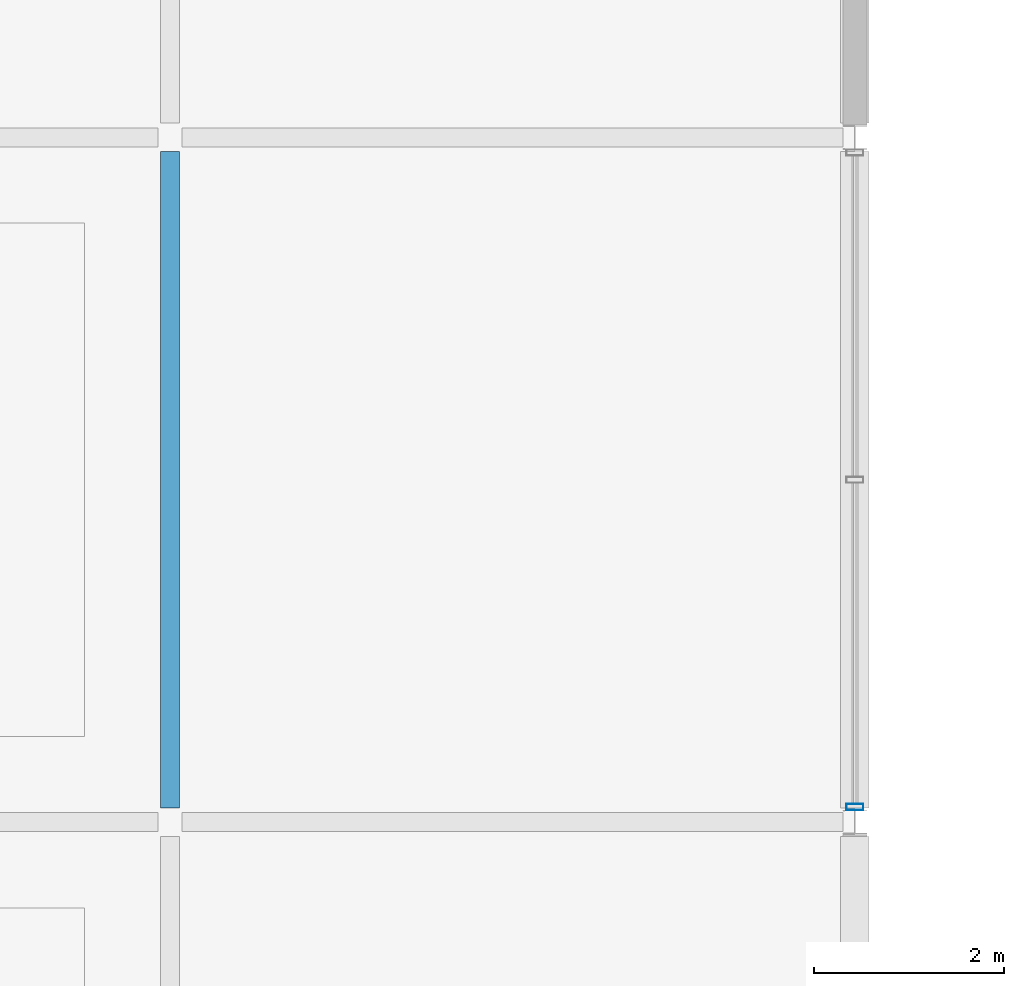
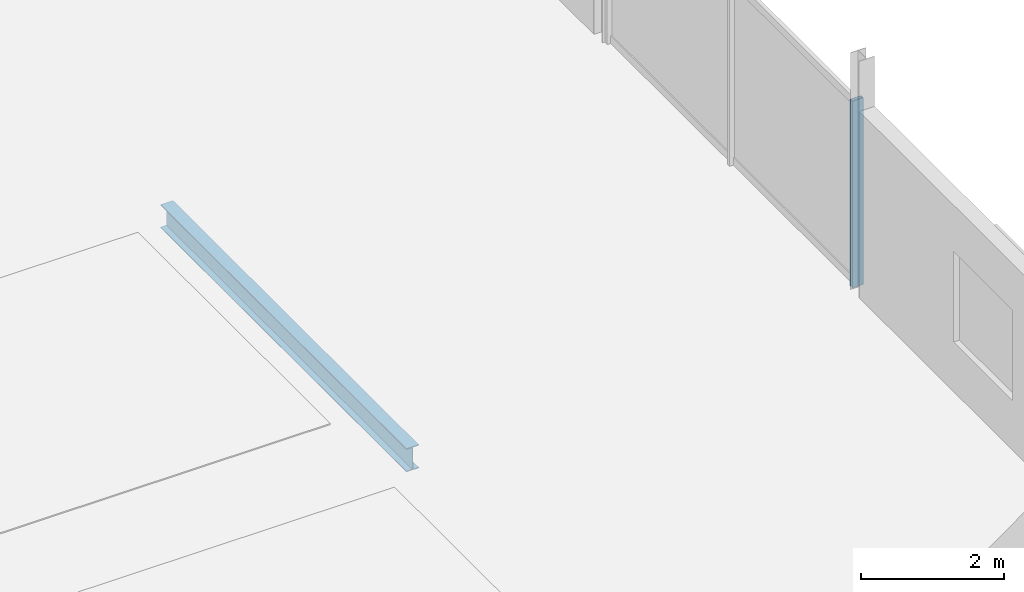
# One storey, part 17 of 107: 1 beam, 1 member, 1 element without a shape of its own.
"""IFC4 building model written with IfcOpenShell, lengths in metres."""

from ifc_helpers import new_model, si_unit, direction, frame, origin, origin_2d, place, context, subcontext, project, spatial, hollow_rectangle, i_section, extrude, material, layer, layer_set, material_profile, profile_set, type_object, element, aggregate, save


model = new_model("IFC4")

# Units and contexts
model_context = context("Model", 3, precision=1e-05, world=origin(), true_north=direction((0.0, 1.0)))
body_context = subcontext(model_context, "Body", "Model", "MODEL_VIEW")
ifc_project = project(units=[si_unit("LENGTHUNIT", "METRE"), si_unit("AREAUNIT", "SQUARE_METRE"), si_unit("VOLUMEUNIT", "CUBIC_METRE"), si_unit("PLANEANGLEUNIT", "RADIAN"), si_unit("MASSUNIT", "GRAM", prefix="KILO")], contexts=[model_context])

# Site, building, storey
site_placement = place(None, origin())
site = spatial("IfcSite", under=ifc_project, at=site_placement, CompositionType="ELEMENT")
building_placement = place(site_placement, origin())
building = spatial("IfcBuilding", under=site, at=building_placement, Name="Kangsadwip Square Police Headquarters", CompositionType="ELEMENT")
storey_placement = place(building_placement, frame((0.0, 0.0, 5.39990234375)))
storey = spatial("IfcBuildingStorey", under=building, at=storey_placement, Name="L01", CompositionType="ELEMENT", Elevation=5.39990234375)

# Curtain wall, member
ifc_material_1 = material(Name="Thermally broken anodised aluminium AW-6063-T6", Category="aluminium")
ifc_layer = layer(ifc_material_1, 0.159912109375)
ifc_layer_set = layer_set([ifc_layer], Name="Thermally broken anodised aluminium AW-6063-T6")
curtain_wall_type = type_object("IfcCurtainWallType", Name="UnitisedCw6944x3200", PredefinedType="NOTDEFINED", material=ifc_layer_set)
curtain_wall_placement = place(storey_placement, origin())
curtain_wall = element("IfcCurtainWall", 1, at=curtain_wall_placement, inside=storey, type_object=curtain_wall_type, Name="Curtain Wall CW-L01-0288-0073", PredefinedType="NOTDEFINED")
ifc_material_2 = material(Name="Thermally broken anodised aluminium AW-6063-T6", Category="aluminium")
ifc_material_profile_1 = material_profile(ifc_material_2, hollow_rectangle(XDim=0.06494140625, YDim=0.179931640625, WallThickness=0.00390625, at=origin_2d()), Name="CWM 180X65X4")
ifc_profile_set_1 = profile_set([ifc_material_profile_1], Name="Thermally broken anodised aluminium AW-6063-T6")
member_type = type_object("IfcMemberType", Name="CwMullion160x65", PredefinedType="MULLION", material=ifc_profile_set_1)
member_placement = place(storey_placement, frame((28.800048828125, 7.360595703125, 0.0), z_axis=(0.0, 0.0, 1.0), x_axis=(0.0, 1.0, 0.0)))
member = element("IfcMember", 2, at=member_placement, type_object=member_type, Name="CW-27 mullion 1", PredefinedType="MULLION", context=body_context, shape_type="SweptSolid", body=[
    extrude(hollow_rectangle(XDim=0.06494140625, YDim=0.179931640625, WallThickness=0.00390625, at=origin_2d()), origin(), (0.0, 0.0, 1.0), 3.2001953125),
])
aggregate(curtain_wall, [member])

# Beam
ifc_material_3 = material(Name="Structural steel IS 2062 E350 (Grade 350, 350 MPa)", Category="steel")
ifc_material_profile_2 = material_profile(ifc_material_3, i_section(OverallWidth=0.199951171875, OverallDepth=0.39990234375, WebThickness=0.008544921875, FlangeThickness=0.012939453125, at=origin_2d()), Name="ISWB 400")
ifc_profile_set_2 = profile_set([ifc_material_profile_2], Name="Structural steel IS 2062 E350 (Grade 350, 350 MPa)")
beam_type = type_object("IfcBeamType", Name="SteelBeamIswb400", PredefinedType="BEAM", material=ifc_profile_set_2)
beam_placement = place(storey_placement, frame((21.60009765625, 7.35009765625, -0.43994140625), z_axis=(0.0, 1.0, 0.0), x_axis=(-1.0, 0.0, 0.0)))
element("IfcBeam", 3, at=beam_placement, inside=storey, type_object=beam_type, Name="Beam BM-L01-Y-03-01", PredefinedType="BEAM", context=body_context, shape_type="SweptSolid", body=[
    extrude(i_section(OverallWidth=0.199951171875, OverallDepth=0.39990234375, WebThickness=0.008544921875, FlangeThickness=0.012939453125, at=origin_2d()), origin(), (0.0, 0.0, 1.0), 6.89990234375),
])

save(model, "model.ifc")
